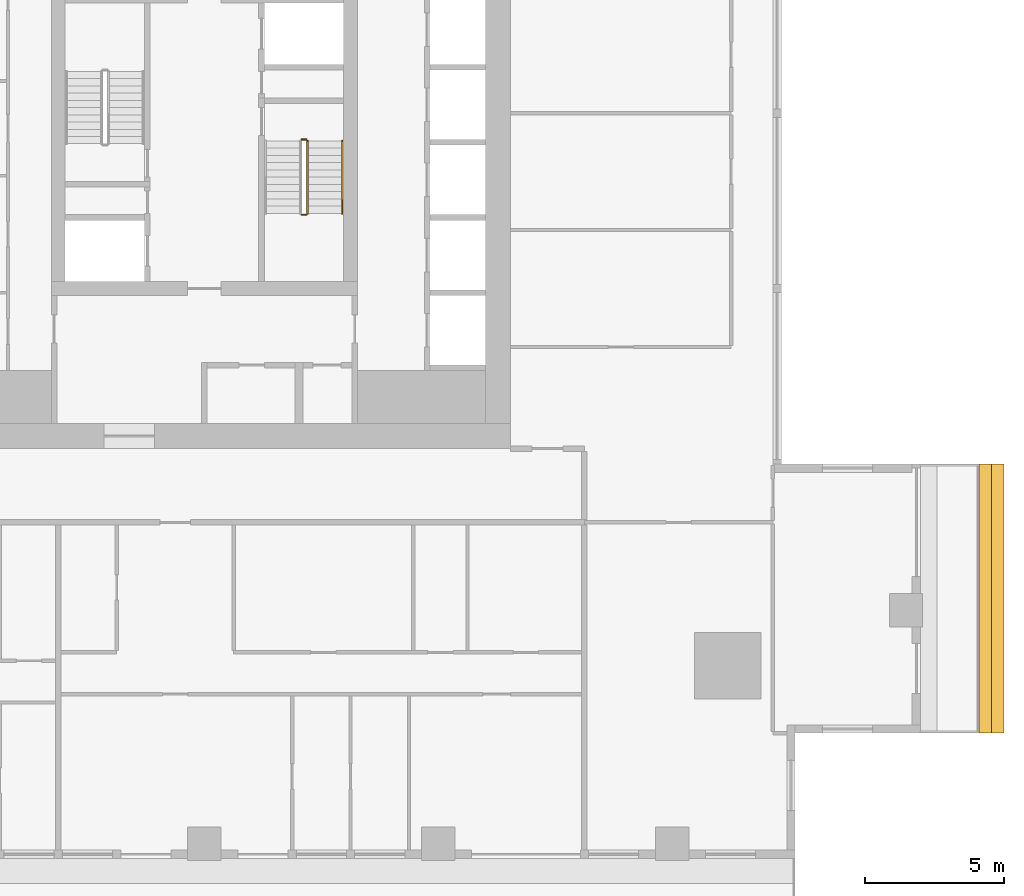
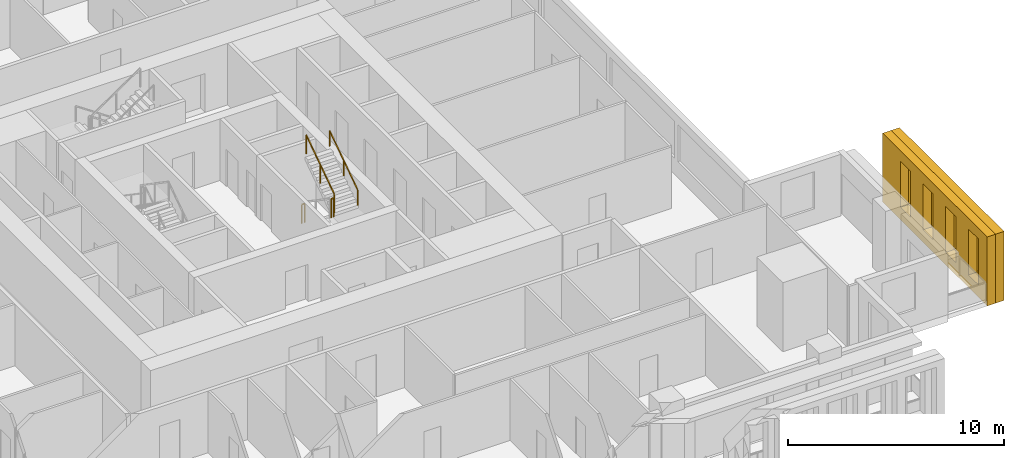
# One storey, part 13 of 15: 4 railings, 2 shading devices.
"""IFC4 building model written with IfcOpenShell, lengths in metres."""

from ifc_helpers import new_model, si_unit, direction, frame, origin, origin_2d, place, context, subcontext, project, spatial, polyline, rectangle, outline, extrude, material, type_object, element, save


model = new_model("IFC4")

# Units and contexts
model_context = context("Model", 3, precision=1e-05, world=origin(), true_north=direction((0.0, 1.0)))
body_context = subcontext(model_context, "Body", "Model", "MODEL_VIEW")
ifc_project = project(units=[si_unit("LENGTHUNIT", "METRE"), si_unit("AREAUNIT", "SQUARE_METRE"), si_unit("VOLUMEUNIT", "CUBIC_METRE"), si_unit("PLANEANGLEUNIT", "RADIAN"), si_unit("MASSUNIT", "GRAM", prefix="KILO")], contexts=[model_context])

# Site, building, storey
site_placement = place(None, origin())
site = spatial("IfcSite", under=ifc_project, at=site_placement, CompositionType="ELEMENT")
building_placement = place(site_placement, origin())
building = spatial("IfcBuilding", under=site, at=building_placement, Name="Khepri Terraces", CompositionType="ELEMENT")
storey_placement = place(building_placement, frame((0.0, 0.0, 223.5)))
storey = spatial("IfcBuildingStorey", under=building, at=storey_placement, Name="L53", CompositionType="ELEMENT", Elevation=223.5)

# Railings
ifc_material_1 = material(Name="Stainless steel 316", Category="steel")
railing_type_1 = type_object("IfcRailingType", Name="RL-CORE-GUARD", PredefinedType="GUARDRAIL", material=ifc_material_1)
railing_1_placement = place(storey_placement, frame((3.5, -2.60009765625, 1.949951171875)))
element("IfcRailing", 1, at=railing_1_placement, inside=storey, type_object=railing_type_1, Name="L53 ST-2 stair guard 2", PredefinedType="GUARDRAIL", context=body_context, shape_type="SweptSolid", body=[
    extrude(rectangle(XDim=0.050048828125, YDim=0.06005859375, at=origin_2d()), frame((0.0, 0.0, 1.070068359375), z_axis=(1.0, 0.0, 0.0), x_axis=(0.0, 1.0, 0.0)), (0.0, 0.0, 1.0), 0.14990234375),
    extrude(rectangle(XDim=0.050048828125, YDim=0.050048828125, at=origin_2d()), origin(), (0.0, 0.0, 1.0), 1.0400390625),
    extrude(rectangle(XDim=0.050048828125, YDim=0.050048828125, at=origin_2d()), frame((0.14990234375, 0.0, 0.0)), (0.0, 0.0, 1.0), 1.0400390625),
])
railing_2_placement = place(storey_placement, frame((3.699951171875, -2.550048828125, 2.127197265625)))
element("IfcRailing", 2, at=railing_2_placement, inside=storey, type_object=railing_type_1, Name="L53 ST-2 stair guard 3", PredefinedType="GUARDRAIL", context=body_context, shape_type="SweptSolid", body=[
    extrude(rectangle(XDim=0.050048828125, YDim=0.06005859375, at=origin_2d()), frame((0.0, 0.0, 1.070068359375), z_axis=(0.0, 0.826240473404, 0.563317565952), x_axis=(-1.0, 0.0, 0.0)), (0.0, 0.0, 1.0), 3.14697265625),
    extrude(rectangle(XDim=0.050048828125, YDim=0.050048828125, at=origin_2d()), origin(), (0.0, 0.0, 1.0), 1.0400390625),
    extrude(rectangle(XDim=0.050048828125, YDim=0.050048828125, at=origin_2d()), frame((0.0, 1.300048828125, 0.88623046875)), (0.0, 0.0, 1.0), 1.0400390625),
    extrude(rectangle(XDim=0.050048828125, YDim=0.050048828125, at=origin_2d()), frame((0.0, 2.60009765625, 1.772705078125)), (0.0, 0.0, 1.0), 1.0400390625),
])
railing_3_placement = place(storey_placement, frame((3.5, 0.10009765625, 0.0)))
element("IfcRailing", 3, at=railing_3_placement, inside=storey, type_object=railing_type_1, Name="L53 ST-2 stair guard 4", PredefinedType="GUARDRAIL", context=body_context, shape_type="SweptSolid", body=[
    extrude(rectangle(XDim=0.050048828125, YDim=0.06005859375, at=origin_2d()), frame((0.0, 0.0, 1.070068359375), z_axis=(1.0, 0.0, 0.0), x_axis=(0.0, 1.0, 0.0)), (0.0, 0.0, 1.0), 0.14990234375),
    extrude(rectangle(XDim=0.050048828125, YDim=0.050048828125, at=origin_2d()), origin(), (0.0, 0.0, 1.0), 1.0400390625),
    extrude(rectangle(XDim=0.050048828125, YDim=0.050048828125, at=origin_2d()), frame((0.14990234375, 0.0, 0.0)), (0.0, 0.0, 1.0), 1.0400390625),
])
railing_type_2 = type_object("IfcRailingType", Name="RL-CORE-HANDRAIL", PredefinedType="HANDRAIL", material=ifc_material_1)
railing_4_placement = place(storey_placement, frame((4.949951171875, -2.550048828125, 2.127197265625)))
element("IfcRailing", 4, at=railing_4_placement, inside=storey, type_object=railing_type_2, Name="L53 ST-2 stair handrail 2", PredefinedType="HANDRAIL", context=body_context, shape_type="SweptSolid", body=[
    extrude(rectangle(XDim=0.050048828125, YDim=0.050048828125, at=origin_2d()), frame((0.0, 0.0, 0.875), z_axis=(0.0, 0.826240473404, 0.563317565952), x_axis=(-1.0, 0.0, 0.0)), (0.0, 0.0, 1.0), 3.14697265625),
    extrude(rectangle(XDim=0.050048828125, YDim=0.050048828125, at=origin_2d()), origin(), (0.0, 0.0, 1.0), 0.849853515625),
    extrude(rectangle(XDim=0.050048828125, YDim=0.050048828125, at=origin_2d()), frame((0.0, 1.300048828125, 0.88623046875)), (0.0, 0.0, 1.0), 0.849853515625),
    extrude(rectangle(XDim=0.050048828125, YDim=0.050048828125, at=origin_2d()), frame((0.0, 2.60009765625, 1.772705078125)), (0.0, 0.0, 1.0), 0.849853515625),
])

# Shading devices
ifc_material_2 = material(Name="Precast concrete C50/60 warm stone", Category="masonry")
shading_device_type_1 = type_object("IfcShadingDeviceType", Name="SCR-CELL-INNER-450", PredefinedType="USERDEFINED", material=ifc_material_2)
shading_device_1_placement = place(storey_placement, frame((27.820068359375, -21.219970703125, -0.25), z_axis=(1.0, 0.0, 0.0), x_axis=(0.0, 1.0, 0.0)))
element("IfcShadingDevice", 5, at=shading_device_1_placement, inside=storey, type_object=shading_device_type_1, Name="Cell screen L53 E in", ObjectType="SCREEN", PredefinedType="USERDEFINED", context=body_context, shape_type="SweptSolid", body=[
    extrude(outline(polyline([(0.0, 0.0), (9.669921875, 0.0), (9.669921875, 3.89990234375), (0.0, 3.89990234375), (0.0, 0.0)]), holes=[polyline([(0.797607421875, 0.699951171875), (1.742431640625, 0.699951171875), (1.742431640625, 3.300048828125), (0.797607421875, 3.300048828125), (0.797607421875, 0.699951171875)]), polyline([(2.8974609375, 0.699951171875), (3.842529296875, 0.699951171875), (3.842529296875, 3.300048828125), (2.8974609375, 3.300048828125), (2.8974609375, 0.699951171875)]), polyline([(4.99755859375, 0.699951171875), (5.9423828125, 0.699951171875), (5.9423828125, 3.300048828125), (4.99755859375, 3.300048828125), (4.99755859375, 0.699951171875)]), polyline([(7.097412109375, 0.699951171875), (8.04248046875, 0.699951171875), (8.04248046875, 3.300048828125), (7.097412109375, 3.300048828125), (7.097412109375, 0.699951171875)])]), origin(), (0.0, 0.0, 1.0), 0.449951171875),
])
shading_device_type_2 = type_object("IfcShadingDeviceType", Name="SCR-CELL-OUTER-450", PredefinedType="USERDEFINED", material=ifc_material_2)
shading_device_2_placement = place(storey_placement, frame((28.27001953125, -21.219970703125, -0.25), z_axis=(1.0, 0.0, 0.0), x_axis=(0.0, 1.0, 0.0)))
element("IfcShadingDevice", 6, at=shading_device_2_placement, inside=storey, type_object=shading_device_type_2, Name="Cell screen L53 E out", ObjectType="SCREEN", PredefinedType="USERDEFINED", context=body_context, shape_type="SweptSolid", body=[
    extrude(outline(polyline([(0.0, 0.0), (9.669921875, 0.0), (9.669921875, 3.89990234375), (0.0, 3.89990234375), (0.0, 0.0)]), holes=[polyline([(0.447509765625, 0.449951171875), (2.092529296875, 0.449951171875), (2.092529296875, 3.550048828125), (0.447509765625, 3.550048828125), (0.447509765625, 0.449951171875)]), polyline([(2.547607421875, 0.449951171875), (4.1923828125, 0.449951171875), (4.1923828125, 3.550048828125), (2.547607421875, 3.550048828125), (2.547607421875, 0.449951171875)]), polyline([(4.6474609375, 0.449951171875), (6.29248046875, 0.449951171875), (6.29248046875, 3.550048828125), (4.6474609375, 3.550048828125), (4.6474609375, 0.449951171875)]), polyline([(6.74755859375, 0.449951171875), (8.392578125, 0.449951171875), (8.392578125, 3.550048828125), (6.74755859375, 3.550048828125), (6.74755859375, 0.449951171875)])]), origin(), (0.0, 0.0, 1.0), 0.449951171875),
])

save(model, "model.ifc")
